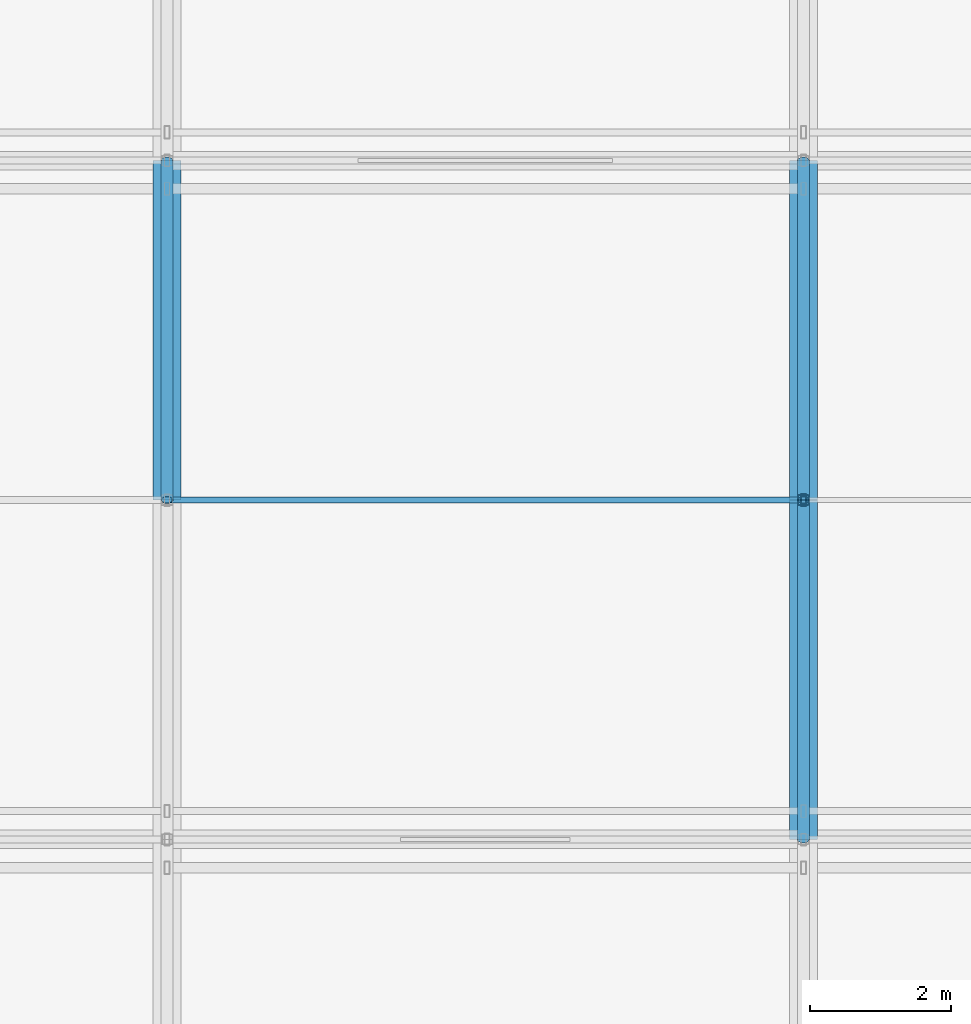
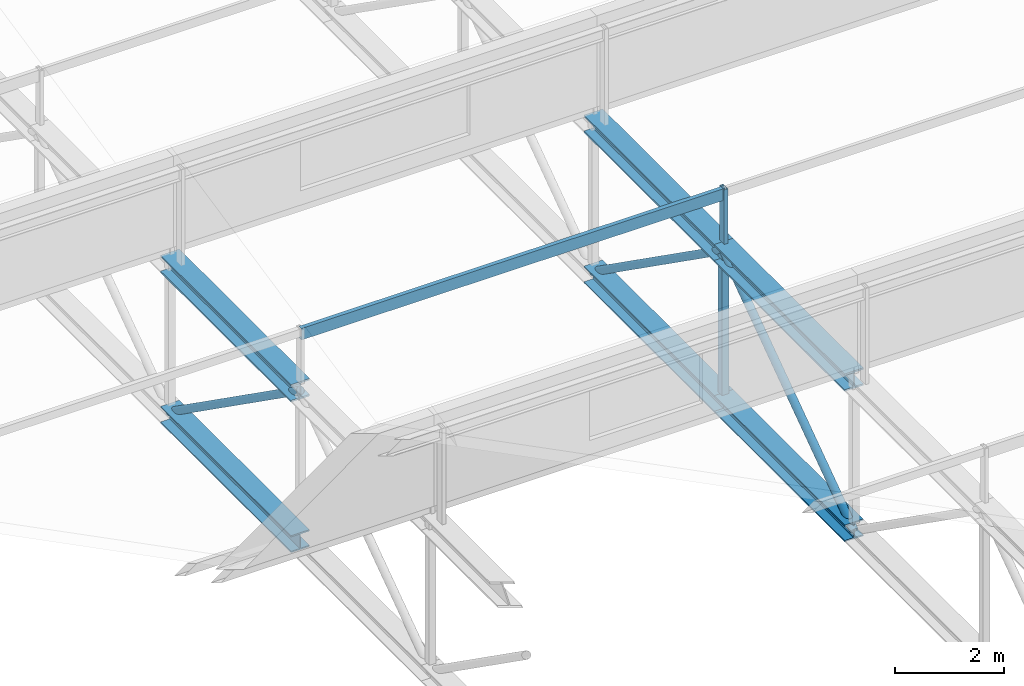
# One storey, part 25 of 136: 6 beams, 6 members.
"""IFC4 building model written with IfcOpenShell, lengths in metres."""

from ifc_helpers import new_model, si_unit, direction, frame, origin, origin_2d, place, context, subcontext, project, spatial, hollow_rectangle, hollow_circle, i_section, u_section, extrude, material, material_profile, profile_set, type_object, element, save


model = new_model("IFC4")

# Units and contexts
model_context = context("Model", 3, precision=1e-05, world=origin(), true_north=direction((0.0, 1.0)))
body_context = subcontext(model_context, "Body", "Model", "MODEL_VIEW")
ifc_project = project(units=[si_unit("LENGTHUNIT", "METRE"), si_unit("AREAUNIT", "SQUARE_METRE"), si_unit("VOLUMEUNIT", "CUBIC_METRE"), si_unit("PLANEANGLEUNIT", "RADIAN"), si_unit("MASSUNIT", "GRAM", prefix="KILO")], contexts=[model_context])

# Site, building, storey
site_placement = place(None, origin())
site = spatial("IfcSite", under=ifc_project, at=site_placement, CompositionType="ELEMENT")
building_placement = place(site_placement, origin())
building = spatial("IfcBuilding", under=site, at=building_placement, Name="Kisiwana Market Hall", CompositionType="ELEMENT")
storey_placement = place(building_placement, frame((0.0, 0.0, 16.800048828125)))
storey = spatial("IfcBuildingStorey", under=building, at=storey_placement, Name="L03", CompositionType="ELEMENT", Elevation=16.800048828125)

# Beams
ifc_material_1 = material(Name="Steel S355", Category="steel")
ifc_material_profile_1 = material_profile(ifc_material_1, i_section(OverallWidth=0.394775390625, OverallDepth=0.381103515625, WebThickness=0.018310546875, FlangeThickness=0.0302734375, at=origin_2d()), Name="UC 356x406x235")
ifc_profile_set_1 = profile_set([ifc_material_profile_1], Name="Steel S355")
beam_type_1 = type_object("IfcBeamType", Name="BM-TRUSS-BOT", PredefinedType="USERDEFINED", material=ifc_profile_set_1)
for number, where, z_axis, x_axis, name in (
    (1, (81.0, 60.0, 0.22998046875), (0.0, 1.0, 0.0), (-1.0, 0.0, 0.0), "TR-03 BC panel 6 B-1223"),
    (2, (90.0, 55.199951171875, 0.22998046875), (0.0, 1.0, 0.0), (-1.0, 0.0, 0.0), "TR-04 BC panel 5 B-1242"),
    (3, (90.0, 60.0, 0.22998046875), (0.0, 1.0, 0.0), (-1.0, 0.0, 0.0), "TR-04 BC panel 6 B-1243"),
):
    element("IfcBeam", number, at=place(storey_placement, frame(where, z_axis=z_axis, x_axis=x_axis)), inside=storey, type_object=beam_type_1, Name=name, ObjectType="ROOF TRUSS", PredefinedType="USERDEFINED", context=body_context, shape_type="SweptSolid", body=[
        extrude(i_section(OverallWidth=0.394775390625, OverallDepth=0.381103515625, WebThickness=0.018310546875, FlangeThickness=0.0302734375, at=origin_2d()), origin(), (0.0, 0.0, 1.0), 4.800048828125),
    ])
ifc_material_2 = material(Name="Steel S355", Category="steel")
ifc_material_profile_2 = material_profile(ifc_material_2, i_section(OverallWidth=0.39892578125, OverallDepth=0.3935546875, WebThickness=0.022705078125, FlangeThickness=0.03662109375, at=origin_2d()), Name="UC 356x406x287")
ifc_profile_set_2 = profile_set([ifc_material_profile_2], Name="Steel S355")
beam_type_2 = type_object("IfcBeamType", Name="BM-TRUSS-TOP", PredefinedType="USERDEFINED", material=ifc_profile_set_2)
for number, where, z_axis, x_axis, name in (
    (4, (81.0, 60.0, 3.619873046875), (0.0, 1.0, 0.0), (-1.0, 0.0, 0.0), "TR-03 TC panel 6 B-1233"),
    (5, (90.0, 55.199951171875, 3.619873046875), (0.0, 1.0, 0.0), (-1.0, 0.0, 0.0), "TR-04 TC panel 5 B-1252"),
    (6, (90.0, 60.0, 3.619873046875), (0.0, 1.0, 0.0), (-1.0, 0.0, 0.0), "TR-04 TC panel 6 B-1253"),
):
    element("IfcBeam", number, at=place(storey_placement, frame(where, z_axis=z_axis, x_axis=x_axis)), inside=storey, type_object=beam_type_2, Name=name, ObjectType="ROOF TRUSS", PredefinedType="USERDEFINED", context=body_context, shape_type="SweptSolid", body=[
        extrude(i_section(OverallWidth=0.39892578125, OverallDepth=0.3935546875, WebThickness=0.022705078125, FlangeThickness=0.03662109375, at=origin_2d()), origin(), (0.0, 0.0, 1.0), 4.800048828125),
    ])

# Members
ifc_material_3 = material(Name="Steel S355", Category="steel")
ifc_material_profile_3 = material_profile(ifc_material_3, hollow_rectangle(XDim=0.080078125, YDim=0.179931640625, WallThickness=0.00634765625, at=origin_2d()), Name="RHS 180x80x6.3")
ifc_profile_set_3 = profile_set([ifc_material_profile_3], Name="Steel S355")
member_type_1 = type_object("IfcMemberType", Name="MB-CAN-STRUT", PredefinedType="STRUT", material=ifc_profile_set_3)
member_1_placement = place(storey_placement, frame((90.0, 60.0, 3.619873046875), z_axis=(0.0, 0.0, 1.0), x_axis=(1.0, 0.0, 0.0)))
element("IfcMember", 7, at=member_1_placement, inside=storey, type_object=member_type_1, Name="Sawtooth mid-slope raker post 33 M-0071", PredefinedType="STRUT", context=body_context, shape_type="SweptSolid", body=[
    extrude(hollow_rectangle(XDim=0.080078125, YDim=0.179931640625, WallThickness=0.00634765625, at=origin_2d()), origin(), (0.0, 0.0, 1.0), 1.42041015625),
])
ifc_material_4 = material(Name="Steel S355", Category="steel")
ifc_material_profile_4 = material_profile(ifc_material_4, u_section(Depth=0.260009765625, FlangeWidth=0.090087890625, WebThickness=0.008056640625, FlangeThickness=0.013916015625, at=origin_2d()), Name="PFC 260x90x35")
ifc_profile_set_4 = profile_set([ifc_material_profile_4], Name="Steel S355")
member_type_2 = type_object("IfcMemberType", Name="MB-PURL-PFC260", PredefinedType="PURLIN", material=ifc_profile_set_4)
member_2_placement = place(storey_placement, frame((81.0, 60.0, 4.90625), z_axis=(1.0, 0.0, 0.0), x_axis=(0.0, 1.0, 0.0)))
element("IfcMember", 8, at=member_2_placement, inside=storey, type_object=member_type_2, Name="Sawtooth mid-slope roof purlin 39 M-0107", PredefinedType="PURLIN", context=body_context, shape_type="SweptSolid", body=[
    extrude(u_section(Depth=0.260009765625, FlangeWidth=0.090087890625, WebThickness=0.008056640625, FlangeThickness=0.013916015625, at=origin_2d()), origin(), (0.0, 0.0, 1.0), 9.0),
])
ifc_material_5 = material(Name="Steel S355", Category="steel")
ifc_material_profile_5 = material_profile(ifc_material_5, hollow_circle(Radius=0.084228515625, WallThickness=0.010009765625, at=origin_2d()), Name="CHS 168.3x10.0")
ifc_profile_set_5 = profile_set([ifc_material_profile_5], Name="Steel S355")
member_type_3 = type_object("IfcMemberType", Name="MB-TR-DIAG168", PredefinedType="BRACE", material=ifc_profile_set_5)
for number, where, z_axis, x_axis, name in (
    (9, (81.0, 60.0, 3.619873046875), (0.0, 0.816837735077, -0.576867501732), (-1.0, 0.0, 0.0), "TR-03 diagonal 6 M-0379"),
    (10, (90.0, 55.199951171875, 0.22998046875), (0.0, 0.816837735077, 0.576867501732), (-1.0, 0.0, 0.0), "TR-04 diagonal 5 M-0397"),
    (11, (90.0, 60.0, 3.619873046875), (0.0, 0.816837735077, -0.576867501732), (-1.0, 0.0, 0.0), "TR-04 diagonal 6 M-0398"),
):
    element("IfcMember", number, at=place(storey_placement, frame(where, z_axis=z_axis, x_axis=x_axis)), inside=storey, type_object=member_type_3, Name=name, PredefinedType="BRACE", context=body_context, shape_type="SweptSolid", body=[
        extrude(hollow_circle(Radius=0.084228515625, WallThickness=0.010009765625, at=origin_2d()), origin(), (0.0, 0.0, 1.0), 5.87646484375),
    ])
ifc_material_6 = material(Name="Steel S355", Category="steel")
ifc_material_profile_6 = material_profile(ifc_material_6, hollow_rectangle(XDim=0.14990234375, YDim=0.14990234375, WallThickness=0.008056640625, at=origin_2d()), Name="SHS 150x150x8.0")
ifc_profile_set_6 = profile_set([ifc_material_profile_6], Name="Steel S355")
member_type_4 = type_object("IfcMemberType", Name="MB-TR-STRUT200", PredefinedType="STRUT", material=ifc_profile_set_6)
member_3_placement = place(storey_placement, frame((90.0, 60.0, 0.22998046875), z_axis=(0.0, 0.0, 1.0), x_axis=(1.0, 0.0, 0.0)))
element("IfcMember", 12, at=member_3_placement, inside=storey, type_object=member_type_4, Name="TR-04 vertical strut 6 M-0407", PredefinedType="STRUT", context=body_context, shape_type="SweptSolid", body=[
    extrude(hollow_rectangle(XDim=0.14990234375, YDim=0.14990234375, WallThickness=0.008056640625, at=origin_2d()), origin(), (0.0, 0.0, 1.0), 3.389892578125),
])

save(model, "model.ifc")
